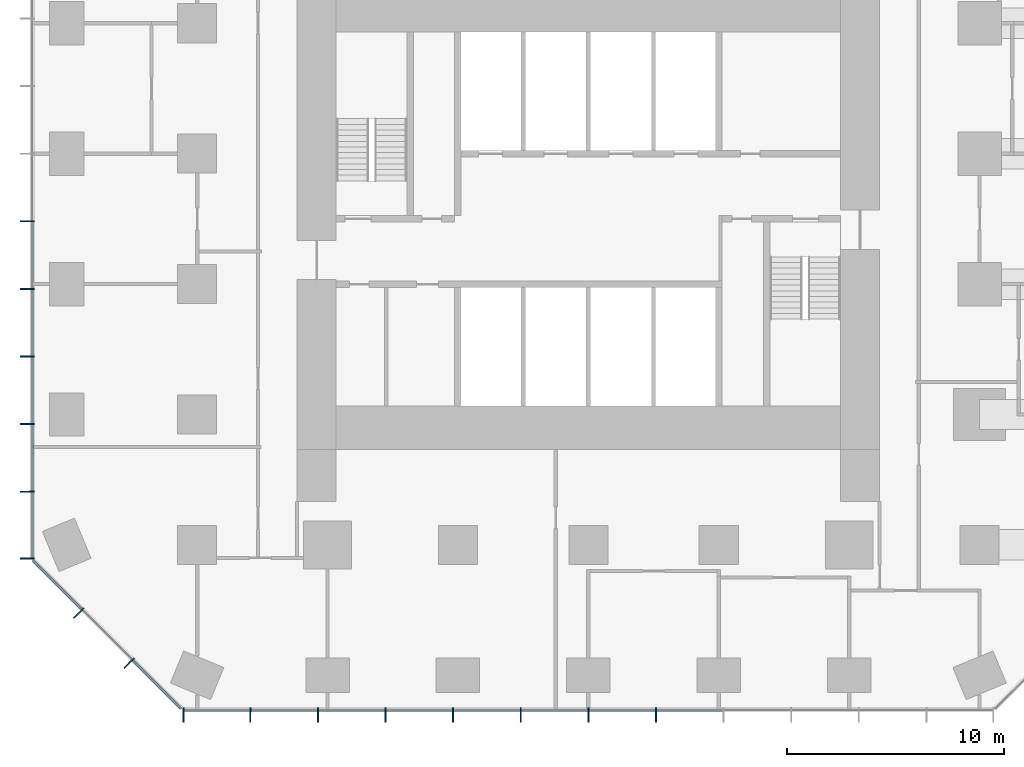
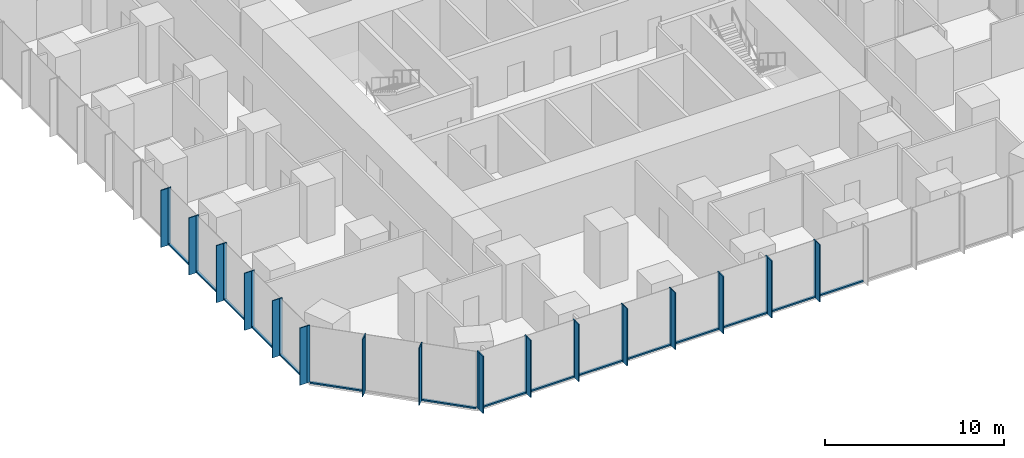
# One storey, part 2 of 12: 47 members, 3 elements without a shape of their own.
"""IFC4 building model written with IfcOpenShell, lengths in metres."""

from ifc_helpers import new_model, si_unit, direction, frame, origin, origin_2d, place, context, subcontext, project, spatial, rectangle, extrude, material, layer, layer_set, material_profile, profile_set, type_object, element, aggregate, save


model = new_model("IFC4")

# Units and contexts
model_context = context("Model", 3, precision=1e-05, world=origin(), true_north=direction((0.0, 1.0)))
body_context = subcontext(model_context, "Body", "Model", "MODEL_VIEW")
ifc_project = project(units=[si_unit("LENGTHUNIT", "METRE"), si_unit("AREAUNIT", "SQUARE_METRE"), si_unit("VOLUMEUNIT", "CUBIC_METRE"), si_unit("PLANEANGLEUNIT", "RADIAN"), si_unit("MASSUNIT", "GRAM", prefix="KILO")], contexts=[model_context])

# Site, building, storey
site_placement = place(None, origin())
site = spatial("IfcSite", under=ifc_project, at=site_placement, CompositionType="ELEMENT")
building_placement = place(site_placement, origin())
building = spatial("IfcBuilding", under=site, at=building_placement, Name="Highveld Stack Headquarters", CompositionType="ELEMENT")
storey_placement = place(building_placement, frame((0.0, 0.0, 76.699951171875)))
storey = spatial("IfcBuildingStorey", under=building, at=storey_placement, Name="L18", CompositionType="ELEMENT", Elevation=76.699951171875)

# Curtain wall, members
ifc_material_1 = material(Name="Aluminium bronze anodised", Category="aluminium")
ifc_layer_1 = layer(ifc_material_1, 0.199951171875)
ifc_layer_set_1 = layer_set([ifc_layer_1], Name="Aluminium bronze anodised")
curtain_wall_type_1 = type_object("IfcCurtainWallType", Name="CW1 TOWER UNITISED CURTAIN WALL", PredefinedType="NOTDEFINED", material=ifc_layer_set_1)
curtain_wall_1_placement = place(storey_placement, origin())
curtain_wall_1 = element("IfcCurtainWall", 1, at=curtain_wall_1_placement, inside=storey, type_object=curtain_wall_type_1, Name="Curtain wall CW1 L18 S", PredefinedType="NOTDEFINED")
ifc_material_2 = material(Name="Aluminium bronze anodised", Category="aluminium")
ifc_material_profile_1 = material_profile(ifc_material_2, rectangle(XDim=0.449951171875, YDim=0.06005859375, at=origin_2d()), Name="FIN 450x60")
ifc_profile_set_1 = profile_set([ifc_material_profile_1], Name="Aluminium bronze anodised")
member_type_1 = type_object("IfcMemberType", Name="CW1 BRONZE FIN 450x60", PredefinedType="USERDEFINED", material=ifc_profile_set_1)
member_1_placement = place(storey_placement, frame((-12.630126953125, -19.925048828125, 0.0), z_axis=(0.0, 0.0, 1.0), x_axis=(0.0, 1.0, 0.0)))
member_1 = element("IfcMember", 2, at=member_1_placement, type_object=member_type_1, Name="CW1 fin L18 1", ObjectType="FIN", PredefinedType="USERDEFINED", context=body_context, shape_type="SweptSolid", body=[
    extrude(rectangle(XDim=0.449951171875, YDim=0.06005859375, at=origin_2d()), origin(), (0.0, 0.0, 1.0), 3.900146484375),
])
member_2_placement = place(storey_placement, frame((-9.55224609375, -19.925048828125, 0.0), z_axis=(0.0, 0.0, 1.0), x_axis=(0.0, 1.0, 0.0)))
member_2 = element("IfcMember", 3, at=member_2_placement, type_object=member_type_1, Name="CW1 fin L18 2", ObjectType="FIN", PredefinedType="USERDEFINED", context=body_context, shape_type="SweptSolid", body=[
    extrude(rectangle(XDim=0.449951171875, YDim=0.06005859375, at=origin_2d()), origin(), (0.0, 0.0, 1.0), 3.900146484375),
])
member_3_placement = place(storey_placement, frame((-6.44189453125, -19.925048828125, 0.0), z_axis=(0.0, 0.0, 1.0), x_axis=(0.0, 1.0, 0.0)))
member_3 = element("IfcMember", 4, at=member_3_placement, type_object=member_type_1, Name="CW1 fin L18 3", ObjectType="FIN", PredefinedType="USERDEFINED", context=body_context, shape_type="SweptSolid", body=[
    extrude(rectangle(XDim=0.449951171875, YDim=0.06005859375, at=origin_2d()), origin(), (0.0, 0.0, 1.0), 3.900146484375),
])
member_4_placement = place(storey_placement, frame((-3.331298828125, -19.925048828125, 0.0), z_axis=(0.0, 0.0, 1.0), x_axis=(0.0, 1.0, 0.0)))
member_4 = element("IfcMember", 5, at=member_4_placement, type_object=member_type_1, Name="CW1 fin L18 4", ObjectType="FIN", PredefinedType="USERDEFINED", context=body_context, shape_type="SweptSolid", body=[
    extrude(rectangle(XDim=0.449951171875, YDim=0.06005859375, at=origin_2d()), origin(), (0.0, 0.0, 1.0), 3.900146484375),
])
member_5_placement = place(storey_placement, frame((-0.220947265625, -19.925048828125, 0.0), z_axis=(0.0, 0.0, 1.0), x_axis=(0.0, 1.0, 0.0)))
member_5 = element("IfcMember", 6, at=member_5_placement, type_object=member_type_1, Name="CW1 fin L18 5", ObjectType="FIN", PredefinedType="USERDEFINED", context=body_context, shape_type="SweptSolid", body=[
    extrude(rectangle(XDim=0.449951171875, YDim=0.06005859375, at=origin_2d()), origin(), (0.0, 0.0, 1.0), 3.900146484375),
])
member_6_placement = place(storey_placement, frame((2.8896484375, -19.925048828125, 0.0), z_axis=(0.0, 0.0, 1.0), x_axis=(0.0, 1.0, 0.0)))
member_6 = element("IfcMember", 7, at=member_6_placement, type_object=member_type_1, Name="CW1 fin L18 6", ObjectType="FIN", PredefinedType="USERDEFINED", context=body_context, shape_type="SweptSolid", body=[
    extrude(rectangle(XDim=0.449951171875, YDim=0.06005859375, at=origin_2d()), origin(), (0.0, 0.0, 1.0), 3.900146484375),
])
member_7_placement = place(storey_placement, frame((6.0, -19.925048828125, 0.0), z_axis=(0.0, 0.0, 1.0), x_axis=(0.0, 1.0, 0.0)))
member_7 = element("IfcMember", 8, at=member_7_placement, type_object=member_type_1, Name="CW1 fin L18 7", ObjectType="FIN", PredefinedType="USERDEFINED", context=body_context, shape_type="SweptSolid", body=[
    extrude(rectangle(XDim=0.449951171875, YDim=0.06005859375, at=origin_2d()), origin(), (0.0, 0.0, 1.0), 3.900146484375),
])
member_8_placement = place(storey_placement, frame((9.110595703125, -19.925048828125, 0.0), z_axis=(0.0, 0.0, 1.0), x_axis=(0.0, 1.0, 0.0)))
member_8 = element("IfcMember", 9, at=member_8_placement, type_object=member_type_1, Name="CW1 fin L18 8", ObjectType="FIN", PredefinedType="USERDEFINED", context=body_context, shape_type="SweptSolid", body=[
    extrude(rectangle(XDim=0.449951171875, YDim=0.06005859375, at=origin_2d()), origin(), (0.0, 0.0, 1.0), 3.900146484375),
])

curtain_wall_2_placement = place(storey_placement, origin())
curtain_wall_2 = element("IfcCurtainWall", 10, at=curtain_wall_2_placement, inside=storey, type_object=curtain_wall_type_1, Name="Curtain wall CW1 L18 W", PredefinedType="NOTDEFINED")
member_9_placement = place(storey_placement, frame((-19.925048828125, 2.889404296875, 0.0), z_axis=(0.0, 0.0, 1.0), x_axis=(1.0, 0.0, 0.0)))
member_9 = element("IfcMember", 11, at=member_9_placement, type_object=member_type_1, Name="CW1 fin L18 8", ObjectType="FIN", PredefinedType="USERDEFINED", context=body_context, shape_type="SweptSolid", body=[
    extrude(rectangle(XDim=0.449951171875, YDim=0.06005859375, at=origin_2d()), origin(), (0.0, 0.0, 1.0), 3.900146484375),
])
member_10_placement = place(storey_placement, frame((-19.925048828125, -0.220947265625, 0.0), z_axis=(0.0, 0.0, 1.0), x_axis=(1.0, 0.0, 0.0)))
member_10 = element("IfcMember", 12, at=member_10_placement, type_object=member_type_1, Name="CW1 fin L18 9", ObjectType="FIN", PredefinedType="USERDEFINED", context=body_context, shape_type="SweptSolid", body=[
    extrude(rectangle(XDim=0.449951171875, YDim=0.06005859375, at=origin_2d()), origin(), (0.0, 0.0, 1.0), 3.900146484375),
])
member_11_placement = place(storey_placement, frame((-19.925048828125, -3.331298828125, 0.0), z_axis=(0.0, 0.0, 1.0), x_axis=(1.0, 0.0, 0.0)))
member_11 = element("IfcMember", 13, at=member_11_placement, type_object=member_type_1, Name="CW1 fin L18 10", ObjectType="FIN", PredefinedType="USERDEFINED", context=body_context, shape_type="SweptSolid", body=[
    extrude(rectangle(XDim=0.449951171875, YDim=0.06005859375, at=origin_2d()), origin(), (0.0, 0.0, 1.0), 3.900146484375),
])
member_12_placement = place(storey_placement, frame((-19.925048828125, -6.44189453125, 0.0), z_axis=(0.0, 0.0, 1.0), x_axis=(1.0, 0.0, 0.0)))
member_12 = element("IfcMember", 14, at=member_12_placement, type_object=member_type_1, Name="CW1 fin L18 11", ObjectType="FIN", PredefinedType="USERDEFINED", context=body_context, shape_type="SweptSolid", body=[
    extrude(rectangle(XDim=0.449951171875, YDim=0.06005859375, at=origin_2d()), origin(), (0.0, 0.0, 1.0), 3.900146484375),
])
member_13_placement = place(storey_placement, frame((-19.925048828125, -9.55224609375, 0.0), z_axis=(0.0, 0.0, 1.0), x_axis=(1.0, 0.0, 0.0)))
member_13 = element("IfcMember", 15, at=member_13_placement, type_object=member_type_1, Name="CW1 fin L18 12", ObjectType="FIN", PredefinedType="USERDEFINED", context=body_context, shape_type="SweptSolid", body=[
    extrude(rectangle(XDim=0.449951171875, YDim=0.06005859375, at=origin_2d()), origin(), (0.0, 0.0, 1.0), 3.900146484375),
])
member_14_placement = place(storey_placement, frame((-19.925048828125, -12.630126953125, 0.0), z_axis=(0.0, 0.0, 1.0), x_axis=(1.0, 0.0, 0.0)))
member_14 = element("IfcMember", 16, at=member_14_placement, type_object=member_type_1, Name="CW1 fin L18 13", ObjectType="FIN", PredefinedType="USERDEFINED", context=body_context, shape_type="SweptSolid", body=[
    extrude(rectangle(XDim=0.449951171875, YDim=0.06005859375, at=origin_2d()), origin(), (0.0, 0.0, 1.0), 3.900146484375),
])

# Member
ifc_material_3 = material(Name="Aluminium bronze anodised", Category="aluminium")
ifc_material_profile_2 = material_profile(ifc_material_3, rectangle(XDim=0.199951171875, YDim=0.06494140625, at=origin_2d()), Name="CW1 MULLION 65x200")
ifc_profile_set_2 = profile_set([ifc_material_profile_2], Name="Aluminium bronze anodised")
member_type_2 = type_object("IfcMemberType", Name="CW1 MULLION 65x200", PredefinedType="MULLION", material=ifc_profile_set_2)
member_15_placement = place(storey_placement, frame((-12.630126953125, -19.60009765625, 0.0), z_axis=(0.0, 0.0, 1.0), x_axis=(0.0, 1.0, 0.0)))
member_15 = element("IfcMember", 17, at=member_15_placement, type_object=member_type_2, Name="CW1 mullion L18 1", PredefinedType="MULLION", context=body_context, shape_type="SweptSolid", body=[
    extrude(rectangle(XDim=0.199951171875, YDim=0.06494140625, at=origin_2d()), origin(), (0.0, 0.0, 1.0), 3.900146484375),
])

member_16_placement = place(storey_placement, frame((-9.55224609375, -19.60009765625, 0.0), z_axis=(0.0, 0.0, 1.0), x_axis=(0.0, 1.0, 0.0)))
member_16 = element("IfcMember", 18, at=member_16_placement, type_object=member_type_2, Name="CW1 mullion L18 2", PredefinedType="MULLION", context=body_context, shape_type="SweptSolid", body=[
    extrude(rectangle(XDim=0.199951171875, YDim=0.06494140625, at=origin_2d()), origin(), (0.0, 0.0, 1.0), 3.900146484375),
])

member_17_placement = place(storey_placement, frame((-6.44189453125, -19.60009765625, 0.0), z_axis=(0.0, 0.0, 1.0), x_axis=(0.0, 1.0, 0.0)))
member_17 = element("IfcMember", 19, at=member_17_placement, type_object=member_type_2, Name="CW1 mullion L18 3", PredefinedType="MULLION", context=body_context, shape_type="SweptSolid", body=[
    extrude(rectangle(XDim=0.199951171875, YDim=0.06494140625, at=origin_2d()), origin(), (0.0, 0.0, 1.0), 3.900146484375),
])

member_18_placement = place(storey_placement, frame((-3.331298828125, -19.60009765625, 0.0), z_axis=(0.0, 0.0, 1.0), x_axis=(0.0, 1.0, 0.0)))
member_18 = element("IfcMember", 20, at=member_18_placement, type_object=member_type_2, Name="CW1 mullion L18 4", PredefinedType="MULLION", context=body_context, shape_type="SweptSolid", body=[
    extrude(rectangle(XDim=0.199951171875, YDim=0.06494140625, at=origin_2d()), origin(), (0.0, 0.0, 1.0), 3.900146484375),
])

member_19_placement = place(storey_placement, frame((-0.220947265625, -19.60009765625, 0.0), z_axis=(0.0, 0.0, 1.0), x_axis=(0.0, 1.0, 0.0)))
member_19 = element("IfcMember", 21, at=member_19_placement, type_object=member_type_2, Name="CW1 mullion L18 5", PredefinedType="MULLION", context=body_context, shape_type="SweptSolid", body=[
    extrude(rectangle(XDim=0.199951171875, YDim=0.06494140625, at=origin_2d()), origin(), (0.0, 0.0, 1.0), 3.900146484375),
])

member_20_placement = place(storey_placement, frame((2.8896484375, -19.60009765625, 0.0), z_axis=(0.0, 0.0, 1.0), x_axis=(0.0, 1.0, 0.0)))
member_20 = element("IfcMember", 22, at=member_20_placement, type_object=member_type_2, Name="CW1 mullion L18 6", PredefinedType="MULLION", context=body_context, shape_type="SweptSolid", body=[
    extrude(rectangle(XDim=0.199951171875, YDim=0.06494140625, at=origin_2d()), origin(), (0.0, 0.0, 1.0), 3.900146484375),
])

member_21_placement = place(storey_placement, frame((6.0, -19.60009765625, 0.0), z_axis=(0.0, 0.0, 1.0), x_axis=(0.0, 1.0, 0.0)))
member_21 = element("IfcMember", 23, at=member_21_placement, type_object=member_type_2, Name="CW1 mullion L18 7", PredefinedType="MULLION", context=body_context, shape_type="SweptSolid", body=[
    extrude(rectangle(XDim=0.199951171875, YDim=0.06494140625, at=origin_2d()), origin(), (0.0, 0.0, 1.0), 3.900146484375),
])

member_22_placement = place(storey_placement, frame((9.110595703125, -19.60009765625, 0.0), z_axis=(0.0, 0.0, 1.0), x_axis=(0.0, 1.0, 0.0)))
member_22 = element("IfcMember", 24, at=member_22_placement, type_object=member_type_2, Name="CW1 mullion L18 8", PredefinedType="MULLION", context=body_context, shape_type="SweptSolid", body=[
    extrude(rectangle(XDim=0.199951171875, YDim=0.06494140625, at=origin_2d()), origin(), (0.0, 0.0, 1.0), 3.900146484375),
])

member_23_placement = place(storey_placement, frame((-19.60009765625, 2.889404296875, 0.0), z_axis=(0.0, 0.0, 1.0), x_axis=(1.0, 0.0, 0.0)))
member_23 = element("IfcMember", 25, at=member_23_placement, type_object=member_type_2, Name="CW1 mullion L18 8", PredefinedType="MULLION", context=body_context, shape_type="SweptSolid", body=[
    extrude(rectangle(XDim=0.199951171875, YDim=0.06494140625, at=origin_2d()), origin(), (0.0, 0.0, 1.0), 3.900146484375),
])

member_24_placement = place(storey_placement, frame((-19.60009765625, -0.220947265625, 0.0), z_axis=(0.0, 0.0, 1.0), x_axis=(1.0, 0.0, 0.0)))
member_24 = element("IfcMember", 26, at=member_24_placement, type_object=member_type_2, Name="CW1 mullion L18 9", PredefinedType="MULLION", context=body_context, shape_type="SweptSolid", body=[
    extrude(rectangle(XDim=0.199951171875, YDim=0.06494140625, at=origin_2d()), origin(), (0.0, 0.0, 1.0), 3.900146484375),
])

member_25_placement = place(storey_placement, frame((-19.60009765625, -3.331298828125, 0.0), z_axis=(0.0, 0.0, 1.0), x_axis=(1.0, 0.0, 0.0)))
member_25 = element("IfcMember", 27, at=member_25_placement, type_object=member_type_2, Name="CW1 mullion L18 10", PredefinedType="MULLION", context=body_context, shape_type="SweptSolid", body=[
    extrude(rectangle(XDim=0.199951171875, YDim=0.06494140625, at=origin_2d()), origin(), (0.0, 0.0, 1.0), 3.900146484375),
])

member_26_placement = place(storey_placement, frame((-19.60009765625, -6.44189453125, 0.0), z_axis=(0.0, 0.0, 1.0), x_axis=(1.0, 0.0, 0.0)))
member_26 = element("IfcMember", 28, at=member_26_placement, type_object=member_type_2, Name="CW1 mullion L18 11", PredefinedType="MULLION", context=body_context, shape_type="SweptSolid", body=[
    extrude(rectangle(XDim=0.199951171875, YDim=0.06494140625, at=origin_2d()), origin(), (0.0, 0.0, 1.0), 3.900146484375),
])

member_27_placement = place(storey_placement, frame((-19.60009765625, -9.55224609375, 0.0), z_axis=(0.0, 0.0, 1.0), x_axis=(1.0, 0.0, 0.0)))
member_27 = element("IfcMember", 29, at=member_27_placement, type_object=member_type_2, Name="CW1 mullion L18 12", PredefinedType="MULLION", context=body_context, shape_type="SweptSolid", body=[
    extrude(rectangle(XDim=0.199951171875, YDim=0.06494140625, at=origin_2d()), origin(), (0.0, 0.0, 1.0), 3.900146484375),
])

member_28_placement = place(storey_placement, frame((-19.60009765625, -12.630126953125, 0.0), z_axis=(0.0, 0.0, 1.0), x_axis=(1.0, 0.0, 0.0)))
member_28 = element("IfcMember", 30, at=member_28_placement, type_object=member_type_2, Name="CW1 mullion L18 13", PredefinedType="MULLION", context=body_context, shape_type="SweptSolid", body=[
    extrude(rectangle(XDim=0.199951171875, YDim=0.06494140625, at=origin_2d()), origin(), (0.0, 0.0, 1.0), 3.900146484375),
])

ifc_material_4 = material(Name="Aluminium bronze anodised", Category="aluminium")
ifc_material_profile_3 = material_profile(ifc_material_4, rectangle(XDim=0.14990234375, YDim=0.10009765625, at=origin_2d()), Name="CW1 TRANSOM 150x100")
ifc_profile_set_3 = profile_set([ifc_material_profile_3], Name="Aluminium bronze anodised")
member_type_3 = type_object("IfcMemberType", Name="CW1 STACK TRANSOM 150x100", PredefinedType="USERDEFINED", material=ifc_profile_set_3)
member_29_placement = place(storey_placement, frame((-12.59765625, -19.60009765625, 0.050048828125), z_axis=(1.0, 0.0, 0.0), x_axis=(0.0, 1.0, 0.0)))
member_29 = element("IfcMember", 31, at=member_29_placement, type_object=member_type_3, Name="CW1 transom L18 1.1", ObjectType="TRANSOM", PredefinedType="USERDEFINED", context=body_context, shape_type="SweptSolid", body=[
    extrude(rectangle(XDim=0.14990234375, YDim=0.10009765625, at=origin_2d()), origin(), (0.0, 0.0, 1.0), 3.012939453125),
])

member_30_placement = place(storey_placement, frame((-9.519775390625, -19.60009765625, 0.050048828125), z_axis=(1.0, 0.0, 0.0), x_axis=(0.0, 1.0, 0.0)))
member_30 = element("IfcMember", 32, at=member_30_placement, type_object=member_type_3, Name="CW1 transom L18 2.1", ObjectType="TRANSOM", PredefinedType="USERDEFINED", context=body_context, shape_type="SweptSolid", body=[
    extrude(rectangle(XDim=0.14990234375, YDim=0.10009765625, at=origin_2d()), origin(), (0.0, 0.0, 1.0), 3.04541015625),
])

member_31_placement = place(storey_placement, frame((-6.4091796875, -19.60009765625, 0.050048828125), z_axis=(1.0, 0.0, 0.0), x_axis=(0.0, 1.0, 0.0)))
member_31 = element("IfcMember", 33, at=member_31_placement, type_object=member_type_3, Name="CW1 transom L18 3.1", ObjectType="TRANSOM", PredefinedType="USERDEFINED", context=body_context, shape_type="SweptSolid", body=[
    extrude(rectangle(XDim=0.14990234375, YDim=0.10009765625, at=origin_2d()), origin(), (0.0, 0.0, 1.0), 3.04541015625),
])

member_32_placement = place(storey_placement, frame((-3.298828125, -19.60009765625, 0.050048828125), z_axis=(1.0, 0.0, 0.0), x_axis=(0.0, 1.0, 0.0)))
member_32 = element("IfcMember", 34, at=member_32_placement, type_object=member_type_3, Name="CW1 transom L18 4.1", ObjectType="TRANSOM", PredefinedType="USERDEFINED", context=body_context, shape_type="SweptSolid", body=[
    extrude(rectangle(XDim=0.14990234375, YDim=0.10009765625, at=origin_2d()), origin(), (0.0, 0.0, 1.0), 3.04541015625),
])

member_33_placement = place(storey_placement, frame((-0.1884765625, -19.60009765625, 0.050048828125), z_axis=(1.0, 0.0, 0.0), x_axis=(0.0, 1.0, 0.0)))
member_33 = element("IfcMember", 35, at=member_33_placement, type_object=member_type_3, Name="CW1 transom L18 5.1", ObjectType="TRANSOM", PredefinedType="USERDEFINED", context=body_context, shape_type="SweptSolid", body=[
    extrude(rectangle(XDim=0.14990234375, YDim=0.10009765625, at=origin_2d()), origin(), (0.0, 0.0, 1.0), 3.045654296875),
])

member_34_placement = place(storey_placement, frame((2.922119140625, -19.60009765625, 0.050048828125), z_axis=(1.0, 0.0, 0.0), x_axis=(0.0, 1.0, 0.0)))
member_34 = element("IfcMember", 36, at=member_34_placement, type_object=member_type_3, Name="CW1 transom L18 6.1", ObjectType="TRANSOM", PredefinedType="USERDEFINED", context=body_context, shape_type="SweptSolid", body=[
    extrude(rectangle(XDim=0.14990234375, YDim=0.10009765625, at=origin_2d()), origin(), (0.0, 0.0, 1.0), 3.04541015625),
])

member_35_placement = place(storey_placement, frame((6.032470703125, -19.60009765625, 0.050048828125), z_axis=(1.0, 0.0, 0.0), x_axis=(0.0, 1.0, 0.0)))
member_35 = element("IfcMember", 37, at=member_35_placement, type_object=member_type_3, Name="CW1 transom L18 7.1", ObjectType="TRANSOM", PredefinedType="USERDEFINED", context=body_context, shape_type="SweptSolid", body=[
    extrude(rectangle(XDim=0.14990234375, YDim=0.10009765625, at=origin_2d()), origin(), (0.0, 0.0, 1.0), 3.04541015625),
])

member_36_placement = place(storey_placement, frame((9.14306640625, -19.60009765625, 0.050048828125), z_axis=(1.0, 0.0, 0.0), x_axis=(0.0, 1.0, 0.0)))
member_36 = element("IfcMember", 38, at=member_36_placement, type_object=member_type_3, Name="CW1 transom L18 8.1", ObjectType="TRANSOM", PredefinedType="USERDEFINED", context=body_context, shape_type="SweptSolid", body=[
    extrude(rectangle(XDim=0.14990234375, YDim=0.10009765625, at=origin_2d()), origin(), (0.0, 0.0, 1.0), 3.04541015625),
])

aggregate(curtain_wall_1, [member_15, member_1, member_16, member_2, member_17, member_3, member_18, member_4, member_19, member_5, member_20, member_6, member_21, member_7, member_22, member_8, member_29, member_30, member_31, member_32, member_33, member_34, member_35, member_36])

member_37_placement = place(storey_placement, frame((-19.60009765625, 2.857177734375, 0.050048828125), z_axis=(0.0, -1.0, 0.0), x_axis=(1.0, 0.0, 0.0)))
member_37 = element("IfcMember", 39, at=member_37_placement, type_object=member_type_3, Name="CW1 transom L18 8.1", ObjectType="TRANSOM", PredefinedType="USERDEFINED", context=body_context, shape_type="SweptSolid", body=[
    extrude(rectangle(XDim=0.14990234375, YDim=0.10009765625, at=origin_2d()), origin(), (0.0, 0.0, 1.0), 3.045654296875),
])

member_38_placement = place(storey_placement, frame((-19.60009765625, -0.25341796875, 0.050048828125), z_axis=(0.0, -1.0, 0.0), x_axis=(1.0, 0.0, 0.0)))
member_38 = element("IfcMember", 40, at=member_38_placement, type_object=member_type_3, Name="CW1 transom L18 9.1", ObjectType="TRANSOM", PredefinedType="USERDEFINED", context=body_context, shape_type="SweptSolid", body=[
    extrude(rectangle(XDim=0.14990234375, YDim=0.10009765625, at=origin_2d()), origin(), (0.0, 0.0, 1.0), 3.04541015625),
])

member_39_placement = place(storey_placement, frame((-19.60009765625, -3.36376953125, 0.050048828125), z_axis=(0.0, -1.0, 0.0), x_axis=(1.0, 0.0, 0.0)))
member_39 = element("IfcMember", 41, at=member_39_placement, type_object=member_type_3, Name="CW1 transom L18 10.1", ObjectType="TRANSOM", PredefinedType="USERDEFINED", context=body_context, shape_type="SweptSolid", body=[
    extrude(rectangle(XDim=0.14990234375, YDim=0.10009765625, at=origin_2d()), origin(), (0.0, 0.0, 1.0), 3.04541015625),
])

member_40_placement = place(storey_placement, frame((-19.60009765625, -6.474365234375, 0.050048828125), z_axis=(0.0, -1.0, 0.0), x_axis=(1.0, 0.0, 0.0)))
member_40 = element("IfcMember", 42, at=member_40_placement, type_object=member_type_3, Name="CW1 transom L18 11.1", ObjectType="TRANSOM", PredefinedType="USERDEFINED", context=body_context, shape_type="SweptSolid", body=[
    extrude(rectangle(XDim=0.14990234375, YDim=0.10009765625, at=origin_2d()), origin(), (0.0, 0.0, 1.0), 3.04541015625),
])

member_41_placement = place(storey_placement, frame((-19.60009765625, -9.584716796875, 0.050048828125), z_axis=(0.0, -1.0, 0.0), x_axis=(1.0, 0.0, 0.0)))
member_41 = element("IfcMember", 43, at=member_41_placement, type_object=member_type_3, Name="CW1 transom L18 12.1", ObjectType="TRANSOM", PredefinedType="USERDEFINED", context=body_context, shape_type="SweptSolid", body=[
    extrude(rectangle(XDim=0.14990234375, YDim=0.10009765625, at=origin_2d()), origin(), (0.0, 0.0, 1.0), 3.012939453125),
])

aggregate(curtain_wall_2, [member_23, member_9, member_24, member_10, member_25, member_11, member_26, member_12, member_27, member_13, member_28, member_14, member_37, member_38, member_39, member_40, member_41])

# Curtain wall, members
ifc_material_5 = material(Name="Aluminium bronze anodised", Category="aluminium")
ifc_layer_2 = layer(ifc_material_5, 0.199951171875)
ifc_layer_set_2 = layer_set([ifc_layer_2], Name="Aluminium bronze anodised")
curtain_wall_type_2 = type_object("IfcCurtainWallType", Name="CW2 TOWER CHAMFER UNITISED CURTAIN WALL", PredefinedType="NOTDEFINED", material=ifc_layer_set_2)
curtain_wall_3_placement = place(storey_placement, origin())
curtain_wall_3 = element("IfcCurtainWall", 44, at=curtain_wall_3_placement, inside=storey, type_object=curtain_wall_type_2, Name="Curtain wall CW2 L18 SW", PredefinedType="NOTDEFINED")
ifc_material_6 = material(Name="Aluminium bronze anodised", Category="aluminium")
ifc_material_profile_4 = material_profile(ifc_material_6, rectangle(XDim=0.449951171875, YDim=0.06005859375, at=origin_2d()), Name="FIN 450x60")
ifc_profile_set_4 = profile_set([ifc_material_profile_4], Name="Aluminium bronze anodised")
member_type_4 = type_object("IfcMemberType", Name="CW2 BRONZE FIN 450x60", PredefinedType="USERDEFINED", material=ifc_profile_set_4)
member_42_placement = place(storey_placement, frame((-17.517333984375, -15.204833984375, 0.0), z_axis=(0.0, 0.0, 1.0), x_axis=(0.707106781187, 0.707106781187, 0.0)))
member_42 = element("IfcMember", 45, at=member_42_placement, type_object=member_type_4, Name="CW2 fin L18 1", ObjectType="FIN", PredefinedType="USERDEFINED", context=body_context, shape_type="SweptSolid", body=[
    extrude(rectangle(XDim=0.449951171875, YDim=0.06005859375, at=origin_2d()), origin(), (0.0, 0.0, 1.0), 3.900146484375),
])
member_43_placement = place(storey_placement, frame((-15.204833984375, -17.517333984375, 0.0), z_axis=(0.0, 0.0, 1.0), x_axis=(0.707106781187, 0.707106781187, 0.0)))
member_43 = element("IfcMember", 46, at=member_43_placement, type_object=member_type_4, Name="CW2 fin L18 2", ObjectType="FIN", PredefinedType="USERDEFINED", context=body_context, shape_type="SweptSolid", body=[
    extrude(rectangle(XDim=0.449951171875, YDim=0.06005859375, at=origin_2d()), origin(), (0.0, 0.0, 1.0), 3.900146484375),
])
ifc_material_7 = material(Name="Aluminium bronze anodised", Category="aluminium")
ifc_material_profile_5 = material_profile(ifc_material_7, rectangle(XDim=0.199951171875, YDim=0.06494140625, at=origin_2d()), Name="CW2 MULLION 65x200")
ifc_profile_set_5 = profile_set([ifc_material_profile_5], Name="Aluminium bronze anodised")
member_type_5 = type_object("IfcMemberType", Name="CW2 MULLION 65x200", PredefinedType="MULLION", material=ifc_profile_set_5)
member_44_placement = place(storey_placement, frame((-17.28759765625, -14.97509765625, 0.0), z_axis=(0.0, 0.0, 1.0), x_axis=(0.707106781187, 0.707106781187, 0.0)))
member_44 = element("IfcMember", 47, at=member_44_placement, type_object=member_type_5, Name="CW2 mullion L18 1", PredefinedType="MULLION", context=body_context, shape_type="SweptSolid", body=[
    extrude(rectangle(XDim=0.199951171875, YDim=0.06494140625, at=origin_2d()), origin(), (0.0, 0.0, 1.0), 3.900146484375),
])
member_45_placement = place(storey_placement, frame((-14.97509765625, -17.28759765625, 0.0), z_axis=(0.0, 0.0, 1.0), x_axis=(0.707106781187, 0.707106781187, 0.0)))
member_45 = element("IfcMember", 48, at=member_45_placement, type_object=member_type_5, Name="CW2 mullion L18 2", PredefinedType="MULLION", context=body_context, shape_type="SweptSolid", body=[
    extrude(rectangle(XDim=0.199951171875, YDim=0.06494140625, at=origin_2d()), origin(), (0.0, 0.0, 1.0), 3.900146484375),
])
ifc_material_8 = material(Name="Aluminium bronze anodised", Category="aluminium")
ifc_material_profile_6 = material_profile(ifc_material_8, rectangle(XDim=0.14990234375, YDim=0.10009765625, at=origin_2d()), Name="CW2 TRANSOM 150x100")
ifc_profile_set_6 = profile_set([ifc_material_profile_6], Name="Aluminium bronze anodised")
member_type_6 = type_object("IfcMemberType", Name="CW2 STACK TRANSOM 150x100", PredefinedType="USERDEFINED", material=ifc_profile_set_6)
member_46_placement = place(storey_placement, frame((-19.529296875, -12.7333984375, 0.050048828125), z_axis=(0.707106781187, -0.707106781187, 0.0), x_axis=(0.707106781187, 0.707106781187, 0.0)))
member_46 = element("IfcMember", 49, at=member_46_placement, type_object=member_type_6, Name="CW2 transom L18 1.1", ObjectType="TRANSOM", PredefinedType="USERDEFINED", context=body_context, shape_type="SweptSolid", body=[
    extrude(rectangle(XDim=0.14990234375, YDim=0.10009765625, at=origin_2d()), origin(), (0.0, 0.0, 1.0), 3.1376953125),
])
member_47_placement = place(storey_placement, frame((-14.9521484375, -17.310546875, 0.050048828125), z_axis=(0.707106781187, -0.707106781187, 0.0), x_axis=(0.707106781187, 0.707106781187, 0.0)))
member_47 = element("IfcMember", 50, at=member_47_placement, type_object=member_type_6, Name="CW2 transom L18 3.1", ObjectType="TRANSOM", PredefinedType="USERDEFINED", context=body_context, shape_type="SweptSolid", body=[
    extrude(rectangle(XDim=0.14990234375, YDim=0.10009765625, at=origin_2d()), origin(), (0.0, 0.0, 1.0), 3.1376953125),
])
aggregate(curtain_wall_3, [member_44, member_42, member_45, member_43, member_46, member_47])

save(model, "model.ifc")
